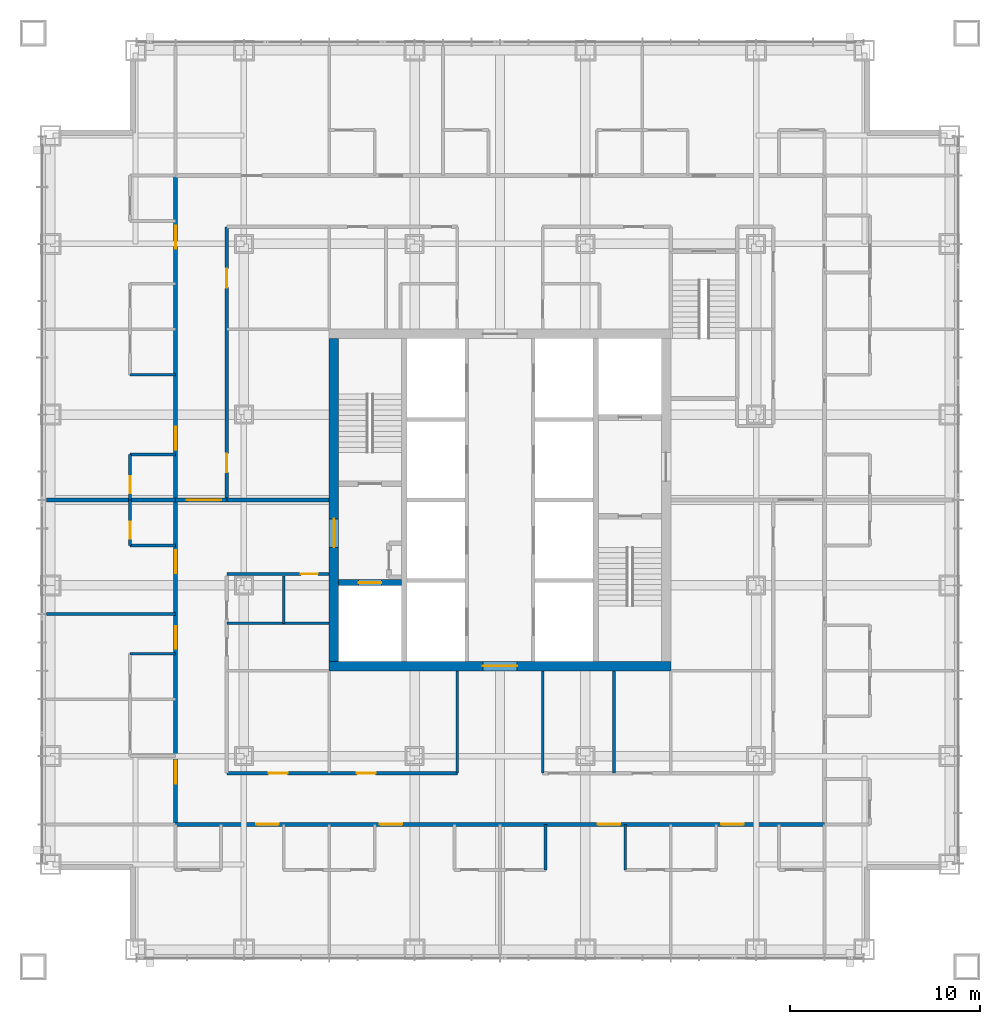
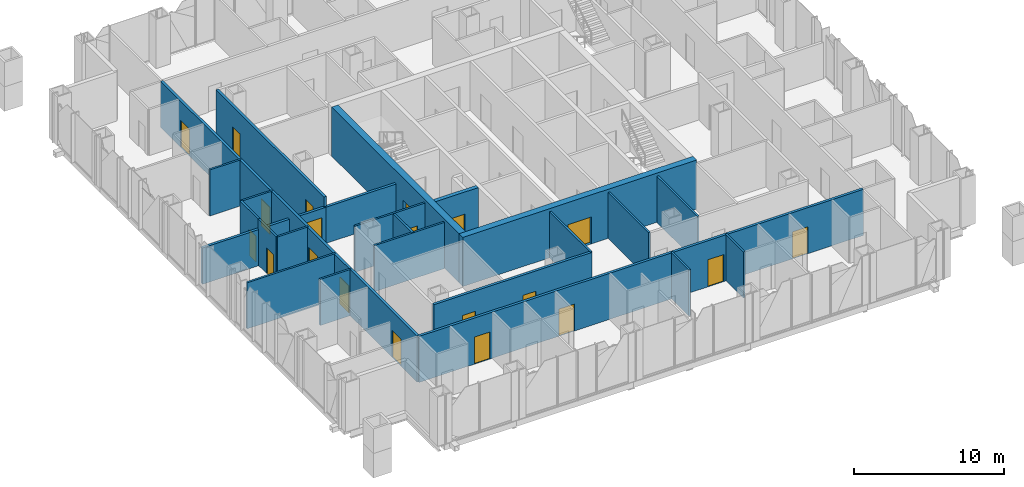
# One storey, part 9 of 23: 25 walls, 20 doors, 20 openings.
"""IFC4 building model written with IfcOpenShell, lengths in metres."""

from ifc_helpers import new_model, si_unit, direction, frame, frame_2d, origin, place, context, subcontext, project, spatial, rectangle, extrude, material, layer, layer_set, type_object, element, fill, save


model = new_model("IFC4")

# Units and contexts
model_context = context("Model", 3, precision=1e-05, world=origin(), true_north=direction((0.0, 1.0)))
body_context = subcontext(model_context, "Body", "Model", "MODEL_VIEW")
ifc_project = project(units=[si_unit("LENGTHUNIT", "METRE"), si_unit("AREAUNIT", "SQUARE_METRE"), si_unit("VOLUMEUNIT", "CUBIC_METRE"), si_unit("PLANEANGLEUNIT", "RADIAN"), si_unit("MASSUNIT", "GRAM", prefix="KILO")], contexts=[model_context])

# Site, building, storey
site_placement = place(None, origin())
site = spatial("IfcSite", under=ifc_project, at=site_placement, CompositionType="ELEMENT")
building_placement = place(site_placement, origin())
building = spatial("IfcBuilding", under=site, at=building_placement, Name="Malebo Sky Hospital", CompositionType="ELEMENT")
storey_placement = place(building_placement, frame((0.0, 0.0, 168.0)))
storey = spatial("IfcBuildingStorey", under=building, at=storey_placement, Name="L40", CompositionType="ELEMENT", Elevation=168.0)

# Wall, opening, door
ifc_material_1 = material(Name="Concrete C80/95", Category="concrete")
ifc_layer_1 = layer(ifc_material_1, 0.300048828125)
ifc_layer_set_1 = layer_set([ifc_layer_1], Name="CORE INNER WALL 300")
wall_type_1 = type_object("IfcWallType", Name="CORE INNER WALL 300", PredefinedType="SHEAR", material=ifc_layer_set_1)
wall_1_placement = place(storey_placement, frame((51.5, 57.64990234375, 0.0), z_axis=(0.0, 0.0, 1.0), x_axis=(1.0, 0.0, 0.0)))
wall_1 = element("IfcWall", 1, at=wall_1_placement, inside=storey, type_object=wall_type_1, Name="Core wall W2 L40", PredefinedType="SHEAR", context=body_context, shape_type="SweptSolid", body=[
    extrude(rectangle(XDim=3.300048828125, YDim=0.300048828125, at=frame_2d((1.64990234375, 0.0))), origin(), (0.0, 0.0, 1.0), 4.0),
])
opening_1_placement = place(wall_1_placement, frame((1.050048828125, 0.0, 0.0)))
opening_1 = element("IfcOpeningElement", 2, at=opening_1_placement, cuts=wall_1, Name="Opening LD2", PredefinedType="OPENING", context=body_context, shape_type="SweptSolid", body=[
    extrude(rectangle(XDim=1.199951171875, YDim=2.199951171875, at=frame_2d((0.60009765625, 1.10009765625))), frame((0.0, 0.159912109375, 0.0), z_axis=(0.0, -1.0, 0.0), x_axis=(1.0, 0.0, 0.0)), (0.0, 0.0, 1.0), 0.320068359375),
])
ifc_material_2 = material(Name="Stainless steel sliding landing door", Category="steel")
door_type_1 = type_object("IfcDoorType", Name="FIRE-FIGHTING LIFT LANDING DOOR 1200", OperationType="SLIDING_TO_LEFT", PredefinedType="DOOR", material=ifc_material_2)
door_1_placement = place(opening_1_placement, origin())
door_1 = element("IfcDoor", 3, at=door_1_placement, inside=storey, type_object=door_type_1, Name="Lift FL1 landing door", OperationType="SLIDING_TO_LEFT", OverallHeight=2.199951171875, OverallWidth=1.199951171875, PredefinedType="DOOR", context=body_context, shape_type="SweptSolid", body=[
    extrude(rectangle(XDim=1.199951171875, YDim=2.199951171875, at=frame_2d((0.60009765625, 1.10009765625))), frame((0.0, 0.02490234375, 0.0), z_axis=(0.0, -1.0, 0.0), x_axis=(1.0, 0.0, 0.0)), (0.0, 0.0, 1.0), 0.050048828125),
])
fill(opening_1, door_1)

ifc_layer_2 = layer(ifc_material_1, 0.5)
ifc_layer_set_2 = layer_set([ifc_layer_2], Name="CORE WALL 500")
wall_type_2 = type_object("IfcWallType", Name="CORE WALL 500", PredefinedType="SHEAR", material=ifc_layer_set_2)
wall_2_placement = place(storey_placement, frame((51.0, 53.25, 0.0), z_axis=(0.0, 0.0, 1.0), x_axis=(1.0, 0.0, 0.0)))
wall_2 = element("IfcWall", 4, at=wall_2_placement, inside=storey, type_object=wall_type_2, Name="Core wall S L40", PredefinedType="SHEAR", context=body_context, shape_type="SweptSolid", body=[
    extrude(rectangle(XDim=18.0, YDim=0.5, at=frame_2d((9.0, 0.0))), origin(), (0.0, 0.0, 1.0), 4.0),
])
opening_2_placement = place(wall_2_placement, frame((8.10009765625, 0.0, 0.0)))
opening_2 = element("IfcOpeningElement", 5, at=opening_2_placement, cuts=wall_2, Name="Opening D06", PredefinedType="OPENING", context=body_context, shape_type="SweptSolid", body=[
    extrude(rectangle(XDim=1.800048828125, YDim=2.199951171875, at=frame_2d((0.89990234375, 1.10009765625))), frame((0.0, 0.260009765625, 0.0), z_axis=(0.0, -1.0, 0.0), x_axis=(1.0, 0.0, 0.0)), (0.0, 0.0, 1.0), 0.52001953125),
])
ifc_material_3 = material(Name="Hardwood-faced door leaf in steel frame", Category="steel")
door_type_2 = type_object("IfcDoorType", Name="LOBBY DOOR PAIR 1800", OperationType="DOUBLE_DOOR_SINGLE_SWING", PredefinedType="DOOR", material=ifc_material_3)
door_2_placement = place(opening_2_placement, origin())
door_2 = element("IfcDoor", 6, at=door_2_placement, inside=storey, type_object=door_type_2, Name="Lift lobby door south", OperationType="DOUBLE_DOOR_SINGLE_SWING", OverallHeight=2.199951171875, OverallWidth=1.800048828125, PredefinedType="DOOR", context=body_context, shape_type="SweptSolid", body=[
    extrude(rectangle(XDim=1.800048828125, YDim=2.199951171875, at=frame_2d((0.89990234375, 1.10009765625))), frame((0.0, 0.02490234375, 0.0), z_axis=(0.0, -1.0, 0.0), x_axis=(1.0, 0.0, 0.0)), (0.0, 0.0, 1.0), 0.050048828125),
])
fill(opening_2, door_2)

wall_3_placement = place(storey_placement, frame((51.25, 53.5, 0.0), z_axis=(0.0, 0.0, 1.0), x_axis=(0.0, 1.0, 0.0)))
wall_3 = element("IfcWall", 7, at=wall_3_placement, inside=storey, type_object=wall_type_2, Name="Core wall W L40", PredefinedType="SHEAR", context=body_context, shape_type="SweptSolid", body=[
    extrude(rectangle(XDim=17.0, YDim=0.5, at=frame_2d((8.5, 0.0))), origin(), (0.0, 0.0, 1.0), 4.0),
])
opening_3_placement = place(wall_3_placement, frame((6.0, 0.0, 0.0)))
opening_3 = element("IfcOpeningElement", 8, at=opening_3_placement, cuts=wall_3, Name="Opening D07", PredefinedType="OPENING", context=body_context, shape_type="SweptSolid", body=[
    extrude(rectangle(XDim=1.5, YDim=2.199951171875, at=frame_2d((0.75, 1.10009765625))), frame((0.0, 0.260009765625, 0.0), z_axis=(0.0, -1.0, 0.0), x_axis=(1.0, 0.0, 0.0)), (0.0, 0.0, 1.0), 0.52001953125),
])
door_type_3 = type_object("IfcDoorType", Name="FIRE-FIGHTING LOBBY DOOR PAIR 1500", OperationType="DOUBLE_DOOR_SINGLE_SWING", PredefinedType="DOOR", material=ifc_material_3)
door_3_placement = place(opening_3_placement, origin())
door_3 = element("IfcDoor", 9, at=door_3_placement, inside=storey, type_object=door_type_3, Name="Fire-fighting lobby door west", OperationType="DOUBLE_DOOR_SINGLE_SWING", OverallHeight=2.199951171875, OverallWidth=1.5, PredefinedType="DOOR", context=body_context, shape_type="SweptSolid", body=[
    extrude(rectangle(XDim=1.5, YDim=2.199951171875, at=frame_2d((0.75, 1.10009765625))), frame((0.0, 0.02490234375, 0.0), z_axis=(0.0, -1.0, 0.0), x_axis=(1.0, 0.0, 0.0)), (0.0, 0.0, 1.0), 0.050048828125),
])
fill(opening_3, door_3)

# Wall, openings, doors
ifc_material_4 = material(Name="Gypsum board on steel studs", Category="steel")
ifc_layer_3 = layer(ifc_material_4, 0.199951171875)
ifc_layer_set_3 = layer_set([ifc_layer_3], Name="CORRIDOR WALL 200")
wall_type_3 = type_object("IfcWallType", Name="CORRIDOR WALL 200", PredefinedType="PARTITIONING", material=ifc_layer_set_3)
wall_4_placement = place(storey_placement, frame((42.89990234375, 44.89990234375, 0.0), z_axis=(0.0, 0.0, 1.0), x_axis=(0.0, 1.0, 0.0)))
wall_4 = element("IfcWall", 10, at=wall_4_placement, inside=storey, type_object=wall_type_3, Name="Corridor Wall 200 WCO", PredefinedType="PARTITIONING", context=body_context, shape_type="SweptSolid", body=[
    extrude(rectangle(XDim=34.2001953125, YDim=0.199951171875, at=frame_2d((17.10009765625, 0.0))), origin(), (0.0, 0.0, 1.0), 3.75),
])
opening_4_placement = place(wall_4_placement, frame((2.14990234375, 0.0, 0.0)))
opening_4 = element("IfcOpeningElement", 11, at=opening_4_placement, cuts=wall_4, Name="Opening D01", PredefinedType="OPENING", context=body_context, shape_type="SweptSolid", body=[
    extrude(rectangle(XDim=1.199951171875, YDim=2.199951171875, at=frame_2d((0.60009765625, 1.10009765625))), frame((0.0, 0.10986328125, 0.0), z_axis=(0.0, -1.0, 0.0), x_axis=(1.0, 0.0, 0.0)), (0.0, 0.0, 1.0), 0.219970703125),
])
opening_5_placement = place(wall_4_placement, frame((9.25, 0.0, 0.0)))
opening_5 = element("IfcOpeningElement", 12, at=opening_5_placement, cuts=wall_4, Name="Opening D01", PredefinedType="OPENING", context=body_context, shape_type="SweptSolid", body=[
    extrude(rectangle(XDim=1.199951171875, YDim=2.199951171875, at=frame_2d((0.60009765625, 1.10009765625))), frame((0.0, 0.10986328125, 0.0), z_axis=(0.0, -1.0, 0.0), x_axis=(1.0, 0.0, 0.0)), (0.0, 0.0, 1.0), 0.219970703125),
])
opening_6_placement = place(wall_4_placement, frame((13.25, 0.0, 0.0)))
opening_6 = element("IfcOpeningElement", 13, at=opening_6_placement, cuts=wall_4, Name="Opening D01", PredefinedType="OPENING", context=body_context, shape_type="SweptSolid", body=[
    extrude(rectangle(XDim=1.199951171875, YDim=2.199951171875, at=frame_2d((0.60009765625, 1.10009765625))), frame((0.0, 0.10986328125, 0.0), z_axis=(0.0, -1.0, 0.0), x_axis=(1.0, 0.0, 0.0)), (0.0, 0.0, 1.0), 0.219970703125),
])
opening_7_placement = place(wall_4_placement, frame((19.75, 0.0, 0.0)))
opening_7 = element("IfcOpeningElement", 14, at=opening_7_placement, cuts=wall_4, Name="Opening D01", PredefinedType="OPENING", context=body_context, shape_type="SweptSolid", body=[
    extrude(rectangle(XDim=1.199951171875, YDim=2.199951171875, at=frame_2d((0.60009765625, 1.10009765625))), frame((0.0, 0.10986328125, 0.0), z_axis=(0.0, -1.0, 0.0), x_axis=(1.0, 0.0, 0.0)), (0.0, 0.0, 1.0), 0.219970703125),
])
opening_8_placement = place(wall_4_placement, frame((30.35009765625, 0.0, 0.0)))
opening_8 = element("IfcOpeningElement", 15, at=opening_8_placement, cuts=wall_4, Name="Opening D01", PredefinedType="OPENING", context=body_context, shape_type="SweptSolid", body=[
    extrude(rectangle(XDim=1.199951171875, YDim=2.199951171875, at=frame_2d((0.60009765625, 1.10009765625))), frame((0.0, 0.10986328125, 0.0), z_axis=(0.0, -1.0, 0.0), x_axis=(1.0, 0.0, 0.0)), (0.0, 0.0, 1.0), 0.219970703125),
])
door_type_4 = type_object("IfcDoorType", Name="BED DOOR 1200", OperationType="SINGLE_SWING_LEFT", PredefinedType="DOOR", material=ifc_material_3)
door_4_placement = place(opening_4_placement, origin())
door_4 = element("IfcDoor", 16, at=door_4_placement, inside=storey, type_object=door_type_4, Name="Two-bed room door", OperationType="SINGLE_SWING_RIGHT", OverallHeight=2.199951171875, OverallWidth=1.199951171875, PredefinedType="DOOR", context=body_context, shape_type="SweptSolid", body=[
    extrude(rectangle(XDim=1.199951171875, YDim=2.199951171875, at=frame_2d((0.60009765625, 1.10009765625))), frame((0.0, 0.02490234375, 0.0), z_axis=(0.0, -1.0, 0.0), x_axis=(1.0, 0.0, 0.0)), (0.0, 0.0, 1.0), 0.050048828125),
])
fill(opening_4, door_4)
door_5_placement = place(opening_5_placement, origin())
door_5 = element("IfcDoor", 17, at=door_5_placement, inside=storey, type_object=door_type_4, Name="Single bed room door", OperationType="SINGLE_SWING_LEFT", OverallHeight=2.199951171875, OverallWidth=1.199951171875, PredefinedType="DOOR", context=body_context, shape_type="SweptSolid", body=[
    extrude(rectangle(XDim=1.199951171875, YDim=2.199951171875, at=frame_2d((0.60009765625, 1.10009765625))), frame((0.0, 0.02490234375, 0.0), z_axis=(0.0, -1.0, 0.0), x_axis=(1.0, 0.0, 0.0)), (0.0, 0.0, 1.0), 0.050048828125),
])
fill(opening_5, door_5)
door_6_placement = place(opening_6_placement, origin())
door_6 = element("IfcDoor", 18, at=door_6_placement, inside=storey, type_object=door_type_4, Name="Single bed room door", OperationType="SINGLE_SWING_RIGHT", OverallHeight=2.199951171875, OverallWidth=1.199951171875, PredefinedType="DOOR", context=body_context, shape_type="SweptSolid", body=[
    extrude(rectangle(XDim=1.199951171875, YDim=2.199951171875, at=frame_2d((0.60009765625, 1.10009765625))), frame((0.0, 0.02490234375, 0.0), z_axis=(0.0, -1.0, 0.0), x_axis=(1.0, 0.0, 0.0)), (0.0, 0.0, 1.0), 0.050048828125),
])
fill(opening_6, door_6)
door_7_placement = place(opening_7_placement, origin())
door_7 = element("IfcDoor", 19, at=door_7_placement, inside=storey, type_object=door_type_4, Name="Four-bed bay door", OperationType="SINGLE_SWING_LEFT", OverallHeight=2.199951171875, OverallWidth=1.199951171875, PredefinedType="DOOR", context=body_context, shape_type="SweptSolid", body=[
    extrude(rectangle(XDim=1.199951171875, YDim=2.199951171875, at=frame_2d((0.60009765625, 1.10009765625))), frame((0.0, 0.02490234375, 0.0), z_axis=(0.0, -1.0, 0.0), x_axis=(1.0, 0.0, 0.0)), (0.0, 0.0, 1.0), 0.050048828125),
])
fill(opening_7, door_7)
door_8_placement = place(opening_8_placement, origin())
door_8 = element("IfcDoor", 20, at=door_8_placement, inside=storey, type_object=door_type_4, Name="Four-bed bay door", OperationType="SINGLE_SWING_RIGHT", OverallHeight=2.199951171875, OverallWidth=1.199951171875, PredefinedType="DOOR", context=body_context, shape_type="SweptSolid", body=[
    extrude(rectangle(XDim=1.199951171875, YDim=2.199951171875, at=frame_2d((0.60009765625, 1.10009765625))), frame((0.0, 0.02490234375, 0.0), z_axis=(0.0, -1.0, 0.0), x_axis=(1.0, 0.0, 0.0)), (0.0, 0.0, 1.0), 0.050048828125),
])
fill(opening_8, door_8)

wall_5_placement = place(storey_placement, frame((45.60009765625, 62.0, 0.0), z_axis=(0.0, 0.0, 1.0), x_axis=(0.0, 1.0, 0.0)))
wall_5 = element("IfcWall", 21, at=wall_5_placement, inside=storey, type_object=wall_type_3, Name="Corridor Wall 200 WCI2", PredefinedType="PARTITIONING", context=body_context, shape_type="SweptSolid", body=[
    extrude(rectangle(XDim=14.39990234375, YDim=0.199951171875, at=frame_2d((7.199951171875, 0.0))), origin(), (0.0, 0.0, 1.0), 3.75),
])
opening_9_placement = place(wall_5_placement, frame((1.449951171875, 0.0, 0.0)))
opening_9 = element("IfcOpeningElement", 22, at=opening_9_placement, cuts=wall_5, Name="Opening D03", PredefinedType="OPENING", context=body_context, shape_type="SweptSolid", body=[
    extrude(rectangle(XDim=1.0, YDim=2.10009765625, at=frame_2d((0.5, 1.050048828125))), frame((0.0, 0.10986328125, 0.0), z_axis=(0.0, -1.0, 0.0), x_axis=(1.0, 0.0, 0.0)), (0.0, 0.0, 1.0), 0.219970703125),
])
opening_10_placement = place(wall_5_placement, frame((11.199951171875, 0.0, 0.0)))
opening_10 = element("IfcOpeningElement", 23, at=opening_10_placement, cuts=wall_5, Name="Opening D03", PredefinedType="OPENING", context=body_context, shape_type="SweptSolid", body=[
    extrude(rectangle(XDim=1.0, YDim=2.10009765625, at=frame_2d((0.5, 1.050048828125))), frame((0.0, 0.10986328125, 0.0), z_axis=(0.0, -1.0, 0.0), x_axis=(1.0, 0.0, 0.0)), (0.0, 0.0, 1.0), 0.219970703125),
])
door_type_5 = type_object("IfcDoorType", Name="ROOM DOOR 1000", OperationType="SINGLE_SWING_LEFT", PredefinedType="DOOR", material=ifc_material_3)
door_9_placement = place(opening_9_placement, origin())
door_9 = element("IfcDoor", 24, at=door_9_placement, inside=storey, type_object=door_type_5, Name="Nurse station door", OperationType="SINGLE_SWING_LEFT", OverallHeight=2.10009765625, OverallWidth=1.0, PredefinedType="DOOR", context=body_context, shape_type="SweptSolid", body=[
    extrude(rectangle(XDim=1.0, YDim=2.10009765625, at=frame_2d((0.5, 1.050048828125))), frame((0.0, 0.02490234375, 0.0), z_axis=(0.0, -1.0, 0.0), x_axis=(1.0, 0.0, 0.0)), (0.0, 0.0, 1.0), 0.050048828125),
])
fill(opening_9, door_9)
door_10_placement = place(opening_10_placement, origin())
door_10 = element("IfcDoor", 25, at=door_10_placement, inside=storey, type_object=door_type_5, Name="Ward pantry door", OperationType="SINGLE_SWING_RIGHT", OverallHeight=2.10009765625, OverallWidth=1.0, PredefinedType="DOOR", context=body_context, shape_type="SweptSolid", body=[
    extrude(rectangle(XDim=1.0, YDim=2.10009765625, at=frame_2d((0.5, 1.050048828125))), frame((0.0, 0.02490234375, 0.0), z_axis=(0.0, -1.0, 0.0), x_axis=(1.0, 0.0, 0.0)), (0.0, 0.0, 1.0), 0.050048828125),
])
fill(opening_10, door_10)

wall_6_placement = place(storey_placement, frame((77.10009765625, 44.89990234375, 0.0), z_axis=(0.0, 0.0, 1.0), x_axis=(-1.0, 0.0, 0.0)))
wall_6 = element("IfcWall", 26, at=wall_6_placement, inside=storey, type_object=wall_type_3, Name="Corridor Wall 200 SCO", PredefinedType="PARTITIONING", context=body_context, shape_type="SweptSolid", body=[
    extrude(rectangle(XDim=34.2001953125, YDim=0.199951171875, at=frame_2d((17.10009765625, 0.0))), origin(), (0.0, 0.0, 1.0), 3.75),
])
opening_11_placement = place(wall_6_placement, frame((4.25, 0.0, 0.0)))
opening_11 = element("IfcOpeningElement", 27, at=opening_11_placement, cuts=wall_6, Name="Opening D01", PredefinedType="OPENING", context=body_context, shape_type="SweptSolid", body=[
    extrude(rectangle(XDim=1.199951171875, YDim=2.199951171875, at=frame_2d((0.60009765625, 1.10009765625))), frame((0.0, 0.10986328125, 0.0), z_axis=(0.0, -1.0, 0.0), x_axis=(1.0, 0.0, 0.0)), (0.0, 0.0, 1.0), 0.219970703125),
])
opening_12_placement = place(wall_6_placement, frame((10.75, 0.0, 0.0)))
opening_12 = element("IfcOpeningElement", 28, at=opening_12_placement, cuts=wall_6, Name="Opening D01", PredefinedType="OPENING", context=body_context, shape_type="SweptSolid", body=[
    extrude(rectangle(XDim=1.199951171875, YDim=2.199951171875, at=frame_2d((0.60009765625, 1.10009765625))), frame((0.0, 0.10986328125, 0.0), z_axis=(0.0, -1.0, 0.0), x_axis=(1.0, 0.0, 0.0)), (0.0, 0.0, 1.0), 0.219970703125),
])
opening_13_placement = place(wall_6_placement, frame((22.25, 0.0, 0.0)))
opening_13 = element("IfcOpeningElement", 29, at=opening_13_placement, cuts=wall_6, Name="Opening D01", PredefinedType="OPENING", context=body_context, shape_type="SweptSolid", body=[
    extrude(rectangle(XDim=1.199951171875, YDim=2.199951171875, at=frame_2d((0.60009765625, 1.10009765625))), frame((0.0, 0.10986328125, 0.0), z_axis=(0.0, -1.0, 0.0), x_axis=(1.0, 0.0, 0.0)), (0.0, 0.0, 1.0), 0.219970703125),
])
opening_14_placement = place(wall_6_placement, frame((28.75, 0.0, 0.0)))
opening_14 = element("IfcOpeningElement", 30, at=opening_14_placement, cuts=wall_6, Name="Opening D01", PredefinedType="OPENING", context=body_context, shape_type="SweptSolid", body=[
    extrude(rectangle(XDim=1.199951171875, YDim=2.199951171875, at=frame_2d((0.60009765625, 1.10009765625))), frame((0.0, 0.10986328125, 0.0), z_axis=(0.0, -1.0, 0.0), x_axis=(1.0, 0.0, 0.0)), (0.0, 0.0, 1.0), 0.219970703125),
])
door_11_placement = place(opening_11_placement, origin())
door_11 = element("IfcDoor", 31, at=door_11_placement, inside=storey, type_object=door_type_4, Name="Four-bed bay door", OperationType="SINGLE_SWING_RIGHT", OverallHeight=2.199951171875, OverallWidth=1.199951171875, PredefinedType="DOOR", context=body_context, shape_type="SweptSolid", body=[
    extrude(rectangle(XDim=1.199951171875, YDim=2.199951171875, at=frame_2d((0.60009765625, 1.10009765625))), frame((0.0, 0.02490234375, 0.0), z_axis=(0.0, -1.0, 0.0), x_axis=(1.0, 0.0, 0.0)), (0.0, 0.0, 1.0), 0.050048828125),
])
fill(opening_11, door_11)
door_12_placement = place(opening_12_placement, origin())
door_12 = element("IfcDoor", 32, at=door_12_placement, inside=storey, type_object=door_type_4, Name="Four-bed bay door", OperationType="SINGLE_SWING_LEFT", OverallHeight=2.199951171875, OverallWidth=1.199951171875, PredefinedType="DOOR", context=body_context, shape_type="SweptSolid", body=[
    extrude(rectangle(XDim=1.199951171875, YDim=2.199951171875, at=frame_2d((0.60009765625, 1.10009765625))), frame((0.0, 0.02490234375, 0.0), z_axis=(0.0, -1.0, 0.0), x_axis=(1.0, 0.0, 0.0)), (0.0, 0.0, 1.0), 0.050048828125),
])
fill(opening_12, door_12)
door_13_placement = place(opening_13_placement, origin())
door_13 = element("IfcDoor", 33, at=door_13_placement, inside=storey, type_object=door_type_4, Name="Four-bed bay door", OperationType="SINGLE_SWING_RIGHT", OverallHeight=2.199951171875, OverallWidth=1.199951171875, PredefinedType="DOOR", context=body_context, shape_type="SweptSolid", body=[
    extrude(rectangle(XDim=1.199951171875, YDim=2.199951171875, at=frame_2d((0.60009765625, 1.10009765625))), frame((0.0, 0.02490234375, 0.0), z_axis=(0.0, -1.0, 0.0), x_axis=(1.0, 0.0, 0.0)), (0.0, 0.0, 1.0), 0.050048828125),
])
fill(opening_13, door_13)
door_14_placement = place(opening_14_placement, origin())
door_14 = element("IfcDoor", 34, at=door_14_placement, inside=storey, type_object=door_type_4, Name="Four-bed bay door", OperationType="SINGLE_SWING_LEFT", OverallHeight=2.199951171875, OverallWidth=1.199951171875, PredefinedType="DOOR", context=body_context, shape_type="SweptSolid", body=[
    extrude(rectangle(XDim=1.199951171875, YDim=2.199951171875, at=frame_2d((0.60009765625, 1.10009765625))), frame((0.0, 0.02490234375, 0.0), z_axis=(0.0, -1.0, 0.0), x_axis=(1.0, 0.0, 0.0)), (0.0, 0.0, 1.0), 0.050048828125),
])
fill(opening_14, door_14)

wall_7_placement = place(storey_placement, frame((57.75, 47.60009765625, 0.0), z_axis=(0.0, 0.0, 1.0), x_axis=(-1.0, 0.0, 0.0)))
wall_7 = element("IfcWall", 35, at=wall_7_placement, inside=storey, type_object=wall_type_3, Name="Corridor Wall 200 SCI2", PredefinedType="PARTITIONING", context=body_context, shape_type="SweptSolid", body=[
    extrude(rectangle(XDim=12.14990234375, YDim=0.199951171875, at=frame_2d((6.074951171875, 0.0))), origin(), (0.0, 0.0, 1.0), 3.75),
])
opening_15_placement = place(wall_7_placement, frame((4.300048828125, 0.0, 0.0)))
opening_15 = element("IfcOpeningElement", 36, at=opening_15_placement, cuts=wall_7, Name="Opening D03", PredefinedType="OPENING", context=body_context, shape_type="SweptSolid", body=[
    extrude(rectangle(XDim=1.0, YDim=2.10009765625, at=frame_2d((0.5, 1.050048828125))), frame((0.0, 0.10986328125, 0.0), z_axis=(0.0, -1.0, 0.0), x_axis=(1.0, 0.0, 0.0)), (0.0, 0.0, 1.0), 0.219970703125),
])
opening_16_placement = place(wall_7_placement, frame((8.949951171875, 0.0, 0.0)))
opening_16 = element("IfcOpeningElement", 37, at=opening_16_placement, cuts=wall_7, Name="Opening D03", PredefinedType="OPENING", context=body_context, shape_type="SweptSolid", body=[
    extrude(rectangle(XDim=1.0, YDim=2.10009765625, at=frame_2d((0.5, 1.050048828125))), frame((0.0, 0.10986328125, 0.0), z_axis=(0.0, -1.0, 0.0), x_axis=(1.0, 0.0, 0.0)), (0.0, 0.0, 1.0), 0.219970703125),
])
door_15_placement = place(opening_15_placement, origin())
door_15 = element("IfcDoor", 38, at=door_15_placement, inside=storey, type_object=door_type_5, Name="Treatment room door", OperationType="SINGLE_SWING_RIGHT", OverallHeight=2.10009765625, OverallWidth=1.0, PredefinedType="DOOR", context=body_context, shape_type="SweptSolid", body=[
    extrude(rectangle(XDim=1.0, YDim=2.10009765625, at=frame_2d((0.5, 1.050048828125))), frame((0.0, 0.02490234375, 0.0), z_axis=(0.0, -1.0, 0.0), x_axis=(1.0, 0.0, 0.0)), (0.0, 0.0, 1.0), 0.050048828125),
])
fill(opening_15, door_15)
door_16_placement = place(opening_16_placement, origin())
door_16 = element("IfcDoor", 39, at=door_16_placement, inside=storey, type_object=door_type_5, Name="Staff base door", OperationType="SINGLE_SWING_RIGHT", OverallHeight=2.10009765625, OverallWidth=1.0, PredefinedType="DOOR", context=body_context, shape_type="SweptSolid", body=[
    extrude(rectangle(XDim=1.0, YDim=2.10009765625, at=frame_2d((0.5, 1.050048828125))), frame((0.0, 0.02490234375, 0.0), z_axis=(0.0, -1.0, 0.0), x_axis=(1.0, 0.0, 0.0)), (0.0, 0.0, 1.0), 0.050048828125),
])
fill(opening_16, door_16)

# Walls
ifc_layer_4 = layer(ifc_material_4, 0.14990234375)
ifc_layer_set_4 = layer_set([ifc_layer_4], Name="PARTITION 150")
wall_type_4 = type_object("IfcWallType", Name="PARTITION 150", PredefinedType="PARTITIONING", material=ifc_layer_set_4)
wall_8_placement = place(storey_placement, frame((42.89990234375, 56.0, 0.0), z_axis=(0.0, 0.0, 1.0), x_axis=(-1.0, 0.0, 0.0)))
element("IfcWall", 40, at=wall_8_placement, inside=storey, type_object=wall_type_4, Name="Partition 150 WP-6.0", PredefinedType="PARTITIONING", context=body_context, shape_type="SweptSolid", body=[
    extrude(rectangle(XDim=6.809814453125, YDim=0.14990234375, at=frame_2d((3.40478515625, 0.0))), origin(), (0.0, 0.0, 1.0), 3.75),
])
wall_9_placement = place(storey_placement, frame((42.89990234375, 53.89990234375, 0.0), z_axis=(0.0, 0.0, 1.0), x_axis=(-1.0, 0.0, 0.0)))
element("IfcWall", 41, at=wall_9_placement, inside=storey, type_object=wall_type_4, Name="Partition 150 WE1S", PredefinedType="PARTITIONING", context=body_context, shape_type="SweptSolid", body=[
    extrude(rectangle(XDim=2.39990234375, YDim=0.14990234375, at=frame_2d((1.199951171875, 0.0))), origin(), (0.0, 0.0, 1.0), 3.75),
])

# Wall, opening, door
wall_10_placement = place(storey_placement, frame((40.5, 59.60009765625, 0.0), z_axis=(0.0, 0.0, 1.0), x_axis=(0.0, 1.0, 0.0)))
wall_10 = element("IfcWall", 42, at=wall_10_placement, inside=storey, type_object=wall_type_4, Name="Partition 150 WE2F", PredefinedType="PARTITIONING", context=body_context, shape_type="SweptSolid", body=[
    extrude(rectangle(XDim=2.39990234375, YDim=0.14990234375, at=frame_2d((1.199951171875, 0.0))), origin(), (0.0, 0.0, 1.0), 3.75),
])
opening_17_placement = place(wall_10_placement, frame((0.35009765625, 0.0, 0.0)))
opening_17 = element("IfcOpeningElement", 43, at=opening_17_placement, cuts=wall_10, Name="Opening D02", PredefinedType="OPENING", context=body_context, shape_type="SweptSolid", body=[
    extrude(rectangle(XDim=0.89990234375, YDim=2.10009765625, at=frame_2d((0.449951171875, 1.050048828125))), frame((0.0, 0.0849609375, 0.0), z_axis=(0.0, -1.0, 0.0), x_axis=(1.0, 0.0, 0.0)), (0.0, 0.0, 1.0), 0.169921875),
])
door_type_6 = type_object("IfcDoorType", Name="EN-SUITE DOOR 900", OperationType="SINGLE_SWING_LEFT", PredefinedType="DOOR", material=ifc_material_3)
door_17_placement = place(opening_17_placement, origin())
door_17 = element("IfcDoor", 44, at=door_17_placement, inside=storey, type_object=door_type_6, Name="En-suite door", OperationType="SINGLE_SWING_LEFT", OverallHeight=2.10009765625, OverallWidth=0.89990234375, PredefinedType="DOOR", context=body_context, shape_type="SweptSolid", body=[
    extrude(rectangle(XDim=0.89990234375, YDim=2.10009765625, at=frame_2d((0.449951171875, 1.050048828125))), frame((0.0, 0.02490234375, 0.0), z_axis=(0.0, -1.0, 0.0), x_axis=(1.0, 0.0, 0.0)), (0.0, 0.0, 1.0), 0.050048828125),
])
fill(opening_17, door_17)

# Wall
wall_11_placement = place(storey_placement, frame((42.89990234375, 59.60009765625, 0.0), z_axis=(0.0, 0.0, 1.0), x_axis=(-1.0, 0.0, 0.0)))
element("IfcWall", 45, at=wall_11_placement, inside=storey, type_object=wall_type_4, Name="Partition 150 WE2S", PredefinedType="PARTITIONING", context=body_context, shape_type="SweptSolid", body=[
    extrude(rectangle(XDim=2.39990234375, YDim=0.14990234375, at=frame_2d((1.199951171875, 0.0))), origin(), (0.0, 0.0, 1.0), 3.75),
])

# Wall, opening, door
wall_12_placement = place(storey_placement, frame((40.5, 62.0, 0.0), z_axis=(0.0, 0.0, 1.0), x_axis=(0.0, 1.0, 0.0)))
wall_12 = element("IfcWall", 46, at=wall_12_placement, inside=storey, type_object=wall_type_4, Name="Partition 150 WE3F", PredefinedType="PARTITIONING", context=body_context, shape_type="SweptSolid", body=[
    extrude(rectangle(XDim=2.39990234375, YDim=0.14990234375, at=frame_2d((1.199951171875, 0.0))), origin(), (0.0, 0.0, 1.0), 3.75),
])
opening_18_placement = place(wall_12_placement, frame((0.35009765625, 0.0, 0.0)))
opening_18 = element("IfcOpeningElement", 47, at=opening_18_placement, cuts=wall_12, Name="Opening D02", PredefinedType="OPENING", context=body_context, shape_type="SweptSolid", body=[
    extrude(rectangle(XDim=0.89990234375, YDim=2.10009765625, at=frame_2d((0.449951171875, 1.050048828125))), frame((0.0, 0.0849609375, 0.0), z_axis=(0.0, -1.0, 0.0), x_axis=(1.0, 0.0, 0.0)), (0.0, 0.0, 1.0), 0.169921875),
])
door_18_placement = place(opening_18_placement, origin())
door_18 = element("IfcDoor", 48, at=door_18_placement, inside=storey, type_object=door_type_6, Name="En-suite door", OperationType="SINGLE_SWING_LEFT", OverallHeight=2.10009765625, OverallWidth=0.89990234375, PredefinedType="DOOR", context=body_context, shape_type="SweptSolid", body=[
    extrude(rectangle(XDim=0.89990234375, YDim=2.10009765625, at=frame_2d((0.449951171875, 1.050048828125))), frame((0.0, 0.02490234375, 0.0), z_axis=(0.0, -1.0, 0.0), x_axis=(1.0, 0.0, 0.0)), (0.0, 0.0, 1.0), 0.050048828125),
])
fill(opening_18, door_18)

# Walls
for number, where, z_axis, x_axis, name in (
    (49, (42.89990234375, 64.39990234375, 0.0), (0.0, 0.0, 1.0), (-1.0, 0.0, 0.0), "Partition 150 WE3S"),
    (50, (42.89990234375, 68.60009765625, 0.0), (0.0, 0.0, 1.0), (-1.0, 0.0, 0.0), "Partition 150 WG3S"),
):
    element("IfcWall", number, at=place(storey_placement, frame(where, z_axis=z_axis, x_axis=x_axis)), inside=storey, type_object=wall_type_4, Name=name, PredefinedType="PARTITIONING", context=body_context, shape_type="SweptSolid", body=[
        extrude(rectangle(XDim=2.39990234375, YDim=0.14990234375, at=frame_2d((1.199951171875, 0.0))), origin(), (0.0, 0.0, 1.0), 3.75),
    ])

# Wall, opening, door
wall_13_placement = place(storey_placement, frame((51.0, 58.10009765625, 0.0), z_axis=(0.0, 0.0, 1.0), x_axis=(-1.0, 0.0, 0.0)))
wall_13 = element("IfcWall", 51, at=wall_13_placement, inside=storey, type_object=wall_type_4, Name="Partition 150 WSPA", PredefinedType="PARTITIONING", context=body_context, shape_type="SweptSolid", body=[
    extrude(rectangle(XDim=5.39990234375, YDim=0.14990234375, at=frame_2d((2.699951171875, 0.0))), origin(), (0.0, 0.0, 1.0), 3.75),
])
opening_19_placement = place(wall_13_placement, frame((0.60009765625, 0.0, 0.0)))
opening_19 = element("IfcOpeningElement", 52, at=opening_19_placement, cuts=wall_13, Name="Opening D04", PredefinedType="OPENING", context=body_context, shape_type="SweptSolid", body=[
    extrude(rectangle(XDim=0.89990234375, YDim=2.10009765625, at=frame_2d((0.449951171875, 1.050048828125))), frame((0.0, 0.0849609375, 0.0), z_axis=(0.0, -1.0, 0.0), x_axis=(1.0, 0.0, 0.0)), (0.0, 0.0, 1.0), 0.169921875),
])
door_type_7 = type_object("IfcDoorType", Name="ROOM DOOR 900", OperationType="SINGLE_SWING_LEFT", PredefinedType="DOOR", material=ifc_material_3)
door_19_placement = place(opening_19_placement, origin())
door_19 = element("IfcDoor", 53, at=door_19_placement, inside=storey, type_object=door_type_7, Name="Cleaner's room door", OperationType="SINGLE_SWING_LEFT", OverallHeight=2.10009765625, OverallWidth=0.89990234375, PredefinedType="DOOR", context=body_context, shape_type="SweptSolid", body=[
    extrude(rectangle(XDim=0.89990234375, YDim=2.10009765625, at=frame_2d((0.449951171875, 1.050048828125))), frame((0.0, 0.02490234375, 0.0), z_axis=(0.0, -1.0, 0.0), x_axis=(1.0, 0.0, 0.0)), (0.0, 0.0, 1.0), 0.050048828125),
])
fill(opening_19, door_19)

# Walls
wall_14_placement = place(storey_placement, frame((51.0, 55.5, 0.0), z_axis=(0.0, 0.0, 1.0), x_axis=(-1.0, 0.0, 0.0)))
element("IfcWall", 54, at=wall_14_placement, inside=storey, type_object=wall_type_4, Name="Partition 150 WSP-6.5", PredefinedType="PARTITIONING", context=body_context, shape_type="SweptSolid", body=[
    extrude(rectangle(XDim=5.39990234375, YDim=0.14990234375, at=frame_2d((2.699951171875, 0.0))), origin(), (0.0, 0.0, 1.0), 3.75),
])
wall_15_placement = place(storey_placement, frame((48.60009765625, 55.5, 0.0), z_axis=(0.0, 0.0, 1.0), x_axis=(0.0, 1.0, 0.0)))
element("IfcWall", 55, at=wall_15_placement, inside=storey, type_object=wall_type_4, Name="Partition 150 WSX1", PredefinedType="PARTITIONING", context=body_context, shape_type="SweptSolid", body=[
    extrude(rectangle(XDim=2.5, YDim=0.14990234375, at=frame_2d((1.25, 0.0))), origin(), (0.0, 0.0, 1.0), 3.75),
])
for number, where, z_axis, x_axis, name in (
    (56, (66.60009765625, 44.89990234375, 0.0), (0.0, 0.0, 1.0), (0.0, -1.0, 0.0), "Partition 150 SE1S"),
    (57, (62.39990234375, 44.89990234375, 0.0), (0.0, 0.0, 1.0), (0.0, -1.0, 0.0), "Partition 150 SG1S"),
):
    element("IfcWall", number, at=place(storey_placement, frame(where, z_axis=z_axis, x_axis=x_axis)), inside=storey, type_object=wall_type_4, Name=name, PredefinedType="PARTITIONING", context=body_context, shape_type="SweptSolid", body=[
        extrude(rectangle(XDim=2.39990234375, YDim=0.14990234375, at=frame_2d((1.199951171875, 0.0))), origin(), (0.0, 0.0, 1.0), 3.75),
    ])
for number, where, z_axis, x_axis, name in (
    (58, (62.25, 53.0, 0.0), (0.0, 0.0, 1.0), (0.0, -1.0, 0.0), "Partition 150 SSPA"),
    (59, (57.75, 53.0, 0.0), (0.0, 0.0, 1.0), (0.0, -1.0, 0.0), "Partition 150 SSPB"),
    (60, (66.0, 53.0, 0.0), (0.0, 0.0, 1.0), (0.0, -1.0, 0.0), "Partition 150 SSP-6.0"),
):
    element("IfcWall", number, at=place(storey_placement, frame(where, z_axis=z_axis, x_axis=x_axis)), inside=storey, type_object=wall_type_4, Name=name, PredefinedType="PARTITIONING", context=body_context, shape_type="SweptSolid", body=[
        extrude(rectangle(XDim=5.39990234375, YDim=0.14990234375, at=frame_2d((2.699951171875, 0.0))), origin(), (0.0, 0.0, 1.0), 3.75),
    ])
ifc_material_5 = material(Name="Concrete blockwork", Category="masonry")
ifc_layer_5 = layer(ifc_material_5, 0.199951171875)
ifc_layer_set_5 = layer_set([ifc_layer_5], Name="SMOKE BARRIER WALL 200")
wall_type_5 = type_object("IfcWallType", Name="SMOKE BARRIER WALL 200", PredefinedType="SOLIDWALL", material=ifc_layer_set_5)
wall_16_placement = place(storey_placement, frame((42.89990234375, 62.0, 0.0), z_axis=(0.0, 0.0, 1.0), x_axis=(-1.0, 0.0, 0.0)))
element("IfcWall", 61, at=wall_16_placement, inside=storey, type_object=wall_type_5, Name="Smoke Barrier Wall 200 WP+0.0", PredefinedType="SOLIDWALL", context=body_context, shape_type="SweptSolid", body=[
    extrude(rectangle(XDim=6.809814453125, YDim=0.199951171875, at=frame_2d((3.40478515625, 0.0))), origin(), (0.0, 0.0, 1.0), 2.949951171875),
])
wall_17_placement = place(storey_placement, frame((51.0, 62.0, 0.0), z_axis=(0.0, 0.0, 1.0), x_axis=(-1.0, 0.0, 0.0)))
element("IfcWall", 62, at=wall_17_placement, inside=storey, type_object=wall_type_5, Name="Smoke Barrier Wall 200 WSPB", PredefinedType="SOLIDWALL", context=body_context, shape_type="SweptSolid", body=[
    extrude(rectangle(XDim=5.39990234375, YDim=0.199951171875, at=frame_2d((2.699951171875, 0.0))), origin(), (0.0, 0.0, 1.0), 2.949951171875),
])

# Wall, opening, door
wall_18_placement = place(storey_placement, frame((45.60009765625, 62.0, 0.0), z_axis=(0.0, 0.0, 1.0), x_axis=(-1.0, 0.0, 0.0)))
wall_18 = element("IfcWall", 63, at=wall_18_placement, inside=storey, type_object=wall_type_5, Name="Smoke Barrier Wall 200 WSB", PredefinedType="SOLIDWALL", context=body_context, shape_type="SweptSolid", body=[
    extrude(rectangle(XDim=2.7001953125, YDim=0.199951171875, at=frame_2d((1.35009765625, 0.0))), origin(), (0.0, 0.0, 1.0), 2.949951171875),
])
opening_20_placement = place(wall_18_placement, frame((0.300048828125, 0.0, 0.0)))
opening_20 = element("IfcOpeningElement", 64, at=opening_20_placement, cuts=wall_18, Name="Opening D05", PredefinedType="OPENING", context=body_context, shape_type="SweptSolid", body=[
    extrude(rectangle(XDim=1.800048828125, YDim=2.199951171875, at=frame_2d((0.89990234375, 1.10009765625))), frame((0.0, 0.10986328125, 0.0), z_axis=(0.0, -1.0, 0.0), x_axis=(1.0, 0.0, 0.0)), (0.0, 0.0, 1.0), 0.219970703125),
])
door_type_8 = type_object("IfcDoorType", Name="SMOKE DOOR PAIR 1800", OperationType="DOUBLE_DOOR_DOUBLE_SWING", PredefinedType="DOOR", material=ifc_material_3)
door_20_placement = place(opening_20_placement, origin())
door_20 = element("IfcDoor", 65, at=door_20_placement, inside=storey, type_object=door_type_8, Name="Smoke compartment door pair", OperationType="DOUBLE_DOOR_DOUBLE_SWING", OverallHeight=2.199951171875, OverallWidth=1.800048828125, PredefinedType="DOOR", context=body_context, shape_type="SweptSolid", body=[
    extrude(rectangle(XDim=1.800048828125, YDim=2.199951171875, at=frame_2d((0.89990234375, 1.10009765625))), frame((0.0, 0.02490234375, 0.0), z_axis=(0.0, -1.0, 0.0), x_axis=(1.0, 0.0, 0.0)), (0.0, 0.0, 1.0), 0.050048828125),
])
fill(opening_20, door_20)

save(model, "model.ifc")
